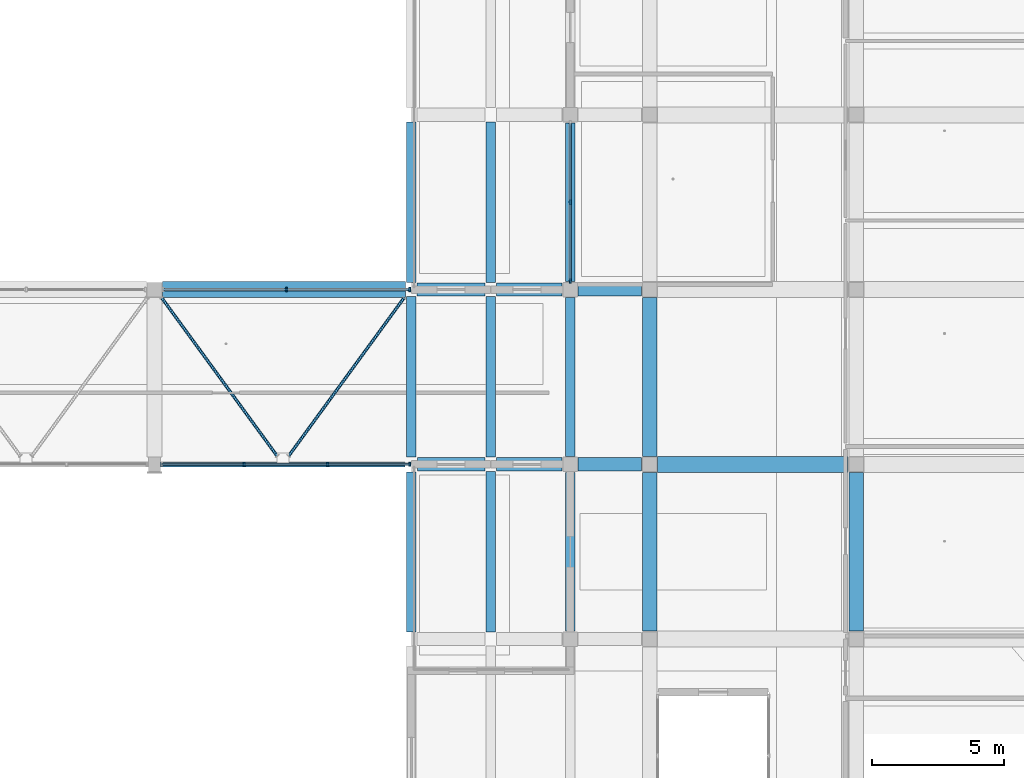
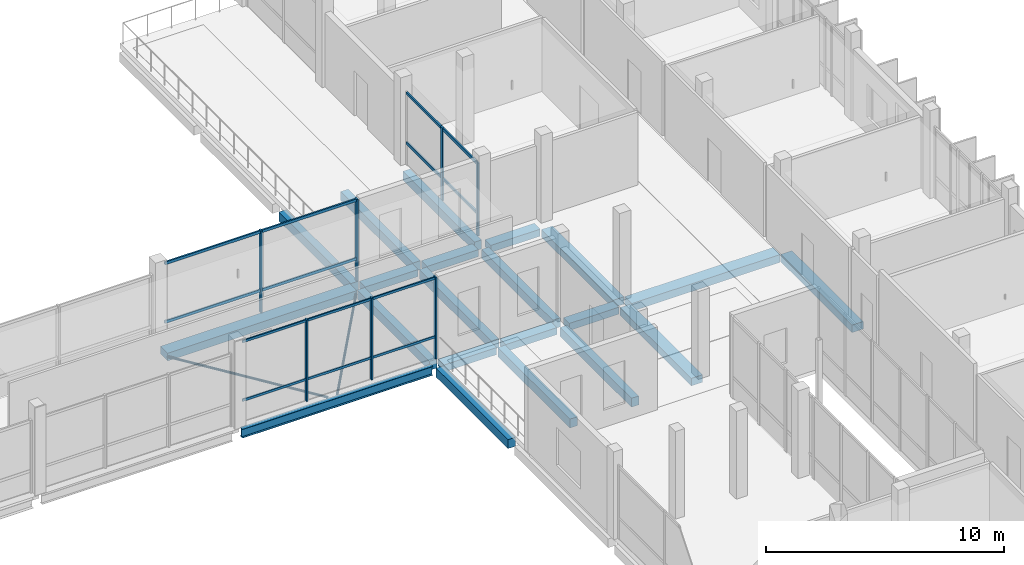
# One storey, part 39 of 95: 21 beams, 15 members, 3 elements without a shape of their own.
"""IFC4 building model written with IfcOpenShell, lengths in metres."""

from ifc_helpers import new_model, si_unit, derived_unit, direction, frame, origin, origin_2d, place, context, subcontext, project, spatial, rectangle, hollow_circle, i_section, extrude, material, material_profile, profile_set, type_object, element, aggregate, save


model = new_model("IFC4")

# Units and contexts
model_context = context("Model", 3, precision=1e-05, world=origin(), true_north=direction((0.0, 1.0)))
body_context = subcontext(model_context, "Body", "Model", "MODEL_VIEW")
ifc_project = project(units=[si_unit("LENGTHUNIT", "METRE"), si_unit("AREAUNIT", "SQUARE_METRE"), si_unit("VOLUMEUNIT", "CUBIC_METRE"), si_unit("PLANEANGLEUNIT", "RADIAN"), si_unit("MASSUNIT", "GRAM", prefix="KILO"), derived_unit("THERMALTRANSMITTANCEUNIT", [(si_unit("POWERUNIT", "WATT"), 1), (si_unit("LENGTHUNIT", "METRE"), -2), (si_unit("THERMODYNAMICTEMPERATUREUNIT", "KELVIN"), -1)])], contexts=[model_context])

# Site, building, storey
site_placement = place(None, origin())
site = spatial("IfcSite", under=ifc_project, at=site_placement, CompositionType="ELEMENT")
building_placement = place(site_placement, origin())
building = spatial("IfcBuilding", under=site, at=building_placement, Name="Braskholm Square Health Centre", CompositionType="ELEMENT")
storey_placement = place(building_placement, frame((0.0, 0.0, 4.800048828125)))
storey = spatial("IfcBuildingStorey", under=building, at=storey_placement, Name="L02", CompositionType="ELEMENT", Elevation=4.800048828125)

# Members
ifc_material_1 = material(Name="Steel ASTM A500 Grade C", Category="steel")
ifc_material_profile_1 = material_profile(ifc_material_1, hollow_circle(Radius=0.05712890625, WallThickness=0.005615234375, at=origin_2d()), Name="HSS4.500X0.237")
ifc_profile_set_1 = profile_set([ifc_material_profile_1], Name="Steel ASTM A500 Grade C")
member_type_1 = type_object("IfcMemberType", Name="CanopyBraceCHS114", PredefinedType="BRACE", material=ifc_profile_set_1)
for number, where, z_axis, x_axis, name in (
    (1, (130.3798828125, 93.47998046875, -0.449951171875), (0.589551927486, -0.807730477819, 0.0), (0.807730477819, 0.589551927486, 0.0), "Concourse arcade chevron brace 04A"),
    (2, (139.52001953125, 93.47998046875, -0.449951171875), (-0.589551927486, -0.807730477819, 0.0), (0.807730477819, -0.589551927486, 0.0), "Concourse arcade chevron brace 04B"),
):
    element("IfcMember", number, at=place(storey_placement, frame(where, z_axis=z_axis, x_axis=x_axis)), inside=storey, type_object=member_type_1, Name=name, PredefinedType="BRACE", context=body_context, shape_type="SweptSolid", body=[
        extrude(hollow_circle(Radius=0.05712890625, WallThickness=0.005615234375, at=origin_2d()), origin(), (0.0, 0.0, 1.0), 7.378662109375),
    ])

# Curtain wall, members
ifc_material_2 = material(Name="Low-E triple insulating glass (VLT 0.64)", Category="glass")
curtain_wall_type_1 = type_object("IfcCurtainWallType", Name="UnitisedCurtainWall6200x4100", PredefinedType="NOTDEFINED", material=ifc_material_2)
curtain_wall_1_placement = place(storey_placement, origin())
curtain_wall_1 = element("IfcCurtainWall", 3, at=curtain_wall_1_placement, inside=storey, type_object=curtain_wall_type_1, Name="Hall Gallery L02 unitised curtain wall CW-L02-0208", PredefinedType="NOTDEFINED")
ifc_material_3 = material(Name="Architectural bronze anodised aluminium", Category="aluminium")
ifc_material_profile_2 = material_profile(ifc_material_3, rectangle(XDim=0.06494140625, YDim=0.14990234375, at=origin_2d()), Name="ALU-65X150")
ifc_profile_set_2 = profile_set([ifc_material_profile_2], Name="Architectural bronze anodised aluminium")
member_type_2 = type_object("IfcMemberType", Name="CurtainWallMullion65x150", PredefinedType="MULLION", material=ifc_profile_set_2)
member_1_placement = place(storey_placement, frame((133.486328125, 87.199951171875, 0.0), z_axis=(0.0, 0.0, 1.0), x_axis=(1.0, 0.0, 0.0)))
member_1 = element("IfcMember", 4, at=member_1_placement, type_object=member_type_2, Name="CW-L02-0208 vertical mullion 2", PredefinedType="MULLION", context=body_context, shape_type="SweptSolid", body=[
    extrude(rectangle(XDim=0.06494140625, YDim=0.14990234375, at=origin_2d()), origin(), (0.0, 0.0, 1.0), 4.199951171875),
])
member_2_placement = place(storey_placement, frame((136.640625, 87.199951171875, 0.0), z_axis=(0.0, 0.0, 1.0), x_axis=(1.0, 0.0, 0.0)))
member_2 = element("IfcMember", 5, at=member_2_placement, type_object=member_type_2, Name="CW-L02-0208 vertical mullion 3", PredefinedType="MULLION", context=body_context, shape_type="SweptSolid", body=[
    extrude(rectangle(XDim=0.06494140625, YDim=0.14990234375, at=origin_2d()), origin(), (0.0, 0.0, 1.0), 4.199951171875),
])
member_3_placement = place(storey_placement, frame((139.73828125, 87.199951171875, 0.0), z_axis=(0.0, 0.0, 1.0), x_axis=(1.0, 0.0, 0.0)))
member_3 = element("IfcMember", 6, at=member_3_placement, type_object=member_type_2, Name="CW-L02-0208 vertical mullion 4", PredefinedType="MULLION", context=body_context, shape_type="SweptSolid", body=[
    extrude(rectangle(XDim=0.06494140625, YDim=0.14990234375, at=origin_2d()), origin(), (0.0, 0.0, 1.0), 4.199951171875),
])

curtain_wall_type_2 = type_object("IfcCurtainWallType", Name="UnitisedCurtainWall6200x3800", PredefinedType="NOTDEFINED", material=ifc_material_2)
curtain_wall_2_placement = place(storey_placement, origin())
curtain_wall_2 = element("IfcCurtainWall", 7, at=curtain_wall_2_placement, inside=storey, type_object=curtain_wall_type_2, Name="East Valley unitised curtain wall CW-L02-0121", PredefinedType="NOTDEFINED")
ifc_material_profile_3 = material_profile(ifc_material_3, rectangle(XDim=0.074951171875, YDim=0.179931640625, at=origin_2d()), Name="ALU-75X180")
ifc_profile_set_3 = profile_set([ifc_material_profile_3], Name="Architectural bronze anodised aluminium")
member_type_3 = type_object("IfcMemberType", Name="CurtainWallMullion75x180", PredefinedType="MULLION", material=ifc_profile_set_3)
member_4_placement = place(storey_placement, frame((145.800048828125, 97.10009765625, 0.0), z_axis=(0.0, 0.0, 1.0), x_axis=(1.0, 0.0, 0.0)))
member_4 = element("IfcMember", 8, at=member_4_placement, type_object=member_type_3, Name="CW-L02-0121 vertical mullion 2", PredefinedType="MULLION", context=body_context, shape_type="SweptSolid", body=[
    extrude(rectangle(XDim=0.074951171875, YDim=0.179931640625, at=origin_2d()), origin(), (0.0, 0.0, 1.0), 3.739990234375),
])
member_5_placement = place(storey_placement, frame((145.800048828125, 94.12109375, 0.0), z_axis=(0.0, 0.0, 1.0), x_axis=(1.0, 0.0, 0.0)))
member_5 = element("IfcMember", 9, at=member_5_placement, type_object=member_type_3, Name="CW-L02-0121 vertical mullion 3", PredefinedType="MULLION", context=body_context, shape_type="SweptSolid", body=[
    extrude(rectangle(XDim=0.074951171875, YDim=0.179931640625, at=origin_2d()), origin(), (0.0, 0.0, 1.0), 3.739990234375),
])

curtain_wall_3_placement = place(storey_placement, origin())
curtain_wall_3 = element("IfcCurtainWall", 10, at=curtain_wall_3_placement, inside=storey, type_object=curtain_wall_type_1, Name="Portal North L02 unitised curtain wall CW-L02-0211", PredefinedType="NOTDEFINED")
member_6_placement = place(storey_placement, frame((139.738525390625, 93.800048828125, 0.0), z_axis=(0.0, 0.0, 1.0), x_axis=(1.0, 0.0, 0.0)))
member_6 = element("IfcMember", 11, at=member_6_placement, type_object=member_type_3, Name="CW-L02-0211 vertical mullion 1", PredefinedType="MULLION", context=body_context, shape_type="SweptSolid", body=[
    extrude(rectangle(XDim=0.074951171875, YDim=0.179931640625, at=origin_2d()), origin(), (0.0, 0.0, 1.0), 4.199951171875),
])
member_7_placement = place(storey_placement, frame((135.0859375, 93.800048828125, 0.0), z_axis=(0.0, 0.0, 1.0), x_axis=(1.0, 0.0, 0.0)))
member_7 = element("IfcMember", 12, at=member_7_placement, type_object=member_type_3, Name="CW-L02-0211 vertical mullion 2", PredefinedType="MULLION", context=body_context, shape_type="SweptSolid", body=[
    extrude(rectangle(XDim=0.074951171875, YDim=0.179931640625, at=origin_2d()), origin(), (0.0, 0.0, 1.0), 4.199951171875),
])

# Member
ifc_material_profile_4 = material_profile(ifc_material_3, rectangle(XDim=0.06494140625, YDim=0.1201171875, at=origin_2d()), Name="ALU-65X120")
ifc_profile_set_4 = profile_set([ifc_material_profile_4], Name="Architectural bronze anodised aluminium")
member_type_4 = type_object("IfcMemberType", Name="CurtainWallTransom65x120", PredefinedType="USERDEFINED", material=ifc_profile_set_4)
member_8_placement = place(storey_placement, frame((130.376953125, 87.199951171875, 1.119873046875), z_axis=(1.0, 0.0, 0.0), x_axis=(0.0, 1.0, 0.0)))
member_8 = element("IfcMember", 13, at=member_8_placement, type_object=member_type_4, Name="CW-L02-0208 horizontal transom 1", ObjectType="TRANSOM", PredefinedType="USERDEFINED", context=body_context, shape_type="SweptSolid", body=[
    extrude(rectangle(XDim=0.06494140625, YDim=0.1201171875, at=origin_2d()), origin(), (0.0, 0.0, 1.0), 9.373046875),
])

member_9_placement = place(storey_placement, frame((130.376953125, 87.199951171875, 4.1298828125), z_axis=(1.0, 0.0, 0.0), x_axis=(0.0, 1.0, 0.0)))
member_9 = element("IfcMember", 14, at=member_9_placement, type_object=member_type_4, Name="CW-L02-0208 horizontal transom 2", ObjectType="TRANSOM", PredefinedType="USERDEFINED", context=body_context, shape_type="SweptSolid", body=[
    extrude(rectangle(XDim=0.06494140625, YDim=0.1201171875, at=origin_2d()), origin(), (0.0, 0.0, 1.0), 9.373046875),
])

aggregate(curtain_wall_1, [member_1, member_2, member_3, member_8, member_9])

ifc_material_profile_5 = material_profile(ifc_material_3, rectangle(XDim=0.074951171875, YDim=0.139892578125, at=origin_2d()), Name="ALU-75X140")
ifc_profile_set_5 = profile_set([ifc_material_profile_5], Name="Architectural bronze anodised aluminium")
member_type_5 = type_object("IfcMemberType", Name="CurtainWallTransom75x140", PredefinedType="USERDEFINED", material=ifc_profile_set_5)
member_10_placement = place(storey_placement, frame((145.800048828125, 100.070068359375, 1.119873046875), z_axis=(0.0, -1.0, 0.0), x_axis=(1.0, 0.0, 0.0)))
member_10 = element("IfcMember", 15, at=member_10_placement, type_object=member_type_5, Name="CW-L02-0121 horizontal transom 1", ObjectType="TRANSOM", PredefinedType="USERDEFINED", context=body_context, shape_type="SweptSolid", body=[
    extrude(rectangle(XDim=0.074951171875, YDim=0.139892578125, at=origin_2d()), origin(), (0.0, 0.0, 1.0), 5.940185546875),
])

member_11_placement = place(storey_placement, frame((145.800048828125, 100.070068359375, 3.669921875), z_axis=(0.0, -1.0, 0.0), x_axis=(1.0, 0.0, 0.0)))
member_11 = element("IfcMember", 16, at=member_11_placement, type_object=member_type_5, Name="CW-L02-0121 horizontal transom 2", ObjectType="TRANSOM", PredefinedType="USERDEFINED", context=body_context, shape_type="SweptSolid", body=[
    extrude(rectangle(XDim=0.074951171875, YDim=0.139892578125, at=origin_2d()), origin(), (0.0, 0.0, 1.0), 5.940185546875),
])

aggregate(curtain_wall_2, [member_4, member_5, member_10, member_11])

member_12_placement = place(storey_placement, frame((139.75, 93.800048828125, 1.119873046875), z_axis=(-1.0, 0.0, 0.0), x_axis=(0.0, -1.0, 0.0)))
member_12 = element("IfcMember", 17, at=member_12_placement, type_object=member_type_5, Name="CW-L02-0211 horizontal transom 1", ObjectType="TRANSOM", PredefinedType="USERDEFINED", context=body_context, shape_type="SweptSolid", body=[
    extrude(rectangle(XDim=0.074951171875, YDim=0.139892578125, at=origin_2d()), origin(), (0.0, 0.0, 1.0), 9.327880859375),
])

member_13_placement = place(storey_placement, frame((139.75, 93.800048828125, 4.1298828125), z_axis=(-1.0, 0.0, 0.0), x_axis=(0.0, -1.0, 0.0)))
member_13 = element("IfcMember", 18, at=member_13_placement, type_object=member_type_5, Name="CW-L02-0211 horizontal transom 2", ObjectType="TRANSOM", PredefinedType="USERDEFINED", context=body_context, shape_type="SweptSolid", body=[
    extrude(rectangle(XDim=0.074951171875, YDim=0.139892578125, at=origin_2d()), origin(), (0.0, 0.0, 1.0), 9.327880859375),
])

aggregate(curtain_wall_3, [member_6, member_7, member_12, member_13])

# Beams
ifc_material_4 = material(Name="Concrete C35/45 (f'c = 35 MPa)", Category="concrete")
ifc_material_profile_6 = material_profile(ifc_material_4, rectangle(XDim=0.5, YDim=0.360107421875, at=origin_2d()), Name="RCB-500X360")
ifc_profile_set_6 = profile_set([ifc_material_profile_6], Name="Concrete C35/45 (f'c = 35 MPa)")
beam_type_1 = type_object("IfcBeamType", Name="PrimaryBandBeam500x360", PredefinedType="BEAM", material=ifc_profile_set_6)
beam_1_placement = place(storey_placement, frame((140.030029296875, 87.199951171875, -0.47998046875), z_axis=(1.0, 0.0, 0.0), x_axis=(0.0, 1.0, 0.0)))
element("IfcBeam", 19, at=beam_1_placement, inside=storey, type_object=beam_type_1, Name="Beam 17-18/N L02", PredefinedType="BEAM", context=body_context, shape_type="SweptSolid", body=[
    extrude(rectangle(XDim=0.5, YDim=0.360107421875, at=origin_2d()), origin(), (0.0, 0.0, 1.0), 2.550048828125),
])
beam_2_placement = place(storey_placement, frame((143.02001953125, 87.199951171875, -0.47998046875), z_axis=(1.0, 0.0, 0.0), x_axis=(0.0, 1.0, 0.0)))
element("IfcBeam", 20, at=beam_2_placement, inside=storey, type_object=beam_type_1, Name="Beam 18-19/N L02", PredefinedType="BEAM", context=body_context, shape_type="SweptSolid", body=[
    extrude(rectangle(XDim=0.5, YDim=0.360107421875, at=origin_2d()), origin(), (0.0, 0.0, 1.0), 2.47998046875),
])
beam_3_placement = place(storey_placement, frame((146.10009765625, 87.199951171875, -0.47998046875), z_axis=(1.0, 0.0, 0.0), x_axis=(0.0, 1.0, 0.0)))
element("IfcBeam", 21, at=beam_3_placement, inside=storey, type_object=beam_type_1, Name="Beam 19-20/N L02", PredefinedType="BEAM", context=body_context, shape_type="SweptSolid", body=[
    extrude(rectangle(XDim=0.5, YDim=0.360107421875, at=origin_2d()), origin(), (0.0, 0.0, 1.0), 2.39990234375),
])
beam_4_placement = place(storey_placement, frame((140.02001953125, 93.800048828125, -0.47998046875), z_axis=(1.0, 0.0, 0.0), x_axis=(0.0, 1.0, 0.0)))
element("IfcBeam", 22, at=beam_4_placement, inside=storey, type_object=beam_type_1, Name="Beam 17-18/P L02", PredefinedType="BEAM", context=body_context, shape_type="SweptSolid", body=[
    extrude(rectangle(XDim=0.5, YDim=0.360107421875, at=origin_2d()), origin(), (0.0, 0.0, 1.0), 2.56005859375),
])
beam_5_placement = place(storey_placement, frame((143.02001953125, 93.800048828125, -0.47998046875), z_axis=(1.0, 0.0, 0.0), x_axis=(0.0, 1.0, 0.0)))
element("IfcBeam", 23, at=beam_5_placement, inside=storey, type_object=beam_type_1, Name="Beam 18-19/P L02", PredefinedType="BEAM", context=body_context, shape_type="SweptSolid", body=[
    extrude(rectangle(XDim=0.5, YDim=0.360107421875, at=origin_2d()), origin(), (0.0, 0.0, 1.0), 2.47998046875),
])
beam_6_placement = place(storey_placement, frame((146.10009765625, 93.800048828125, -0.47998046875), z_axis=(1.0, 0.0, 0.0), x_axis=(0.0, 1.0, 0.0)))
element("IfcBeam", 24, at=beam_6_placement, inside=storey, type_object=beam_type_1, Name="Beam 19-20/P L02", PredefinedType="BEAM", context=body_context, shape_type="SweptSolid", body=[
    extrude(rectangle(XDim=0.5, YDim=0.360107421875, at=origin_2d()), origin(), (0.0, 0.0, 1.0), 2.39990234375),
])
ifc_material_profile_7 = material_profile(ifc_material_4, rectangle(XDim=0.550048828125, YDim=0.3798828125, at=origin_2d()), Name="RCB-550X380")
ifc_profile_set_7 = profile_set([ifc_material_profile_7], Name="Concrete C35/45 (f'c = 35 MPa)")
beam_type_2 = type_object("IfcBeamType", Name="PrimaryBandBeam550x380", PredefinedType="BEAM", material=ifc_profile_set_7)
for number, where, z_axis, x_axis, name in (
    (25, (148.800048828125, 80.89990234375, -0.489990234375), (0.0, 1.0, 0.0), (-1.0, 0.0, 0.0), "Beam 20/M-N L02"),
    (26, (148.800048828125, 87.5, -0.489990234375), (0.0, 1.0, 0.0), (-1.0, 0.0, 0.0), "Beam 20/N-P L02"),
    (27, (156.60009765625, 80.89990234375, -0.489990234375), (0.0, 1.0, 0.0), (-1.0, 0.0, 0.0), "Beam 21/M-N L02"),
):
    element("IfcBeam", number, at=place(storey_placement, frame(where, z_axis=z_axis, x_axis=x_axis)), inside=storey, type_object=beam_type_2, Name=name, PredefinedType="BEAM", context=body_context, shape_type="SweptSolid", body=[
        extrude(rectangle(XDim=0.550048828125, YDim=0.3798828125, at=origin_2d()), origin(), (0.0, 0.0, 1.0), 6.0),
    ])
ifc_material_profile_8 = material_profile(ifc_material_4, rectangle(XDim=0.60009765625, YDim=0.39990234375, at=origin_2d()), Name="RCB-600X400")
ifc_profile_set_8 = profile_set([ifc_material_profile_8], Name="Concrete C35/45 (f'c = 35 MPa)")
beam_type_3 = type_object("IfcBeamType", Name="PrimaryBandBeam600x400", PredefinedType="BEAM", material=ifc_profile_set_8)
beam_7_placement = place(storey_placement, frame((149.10009765625, 87.199951171875, -0.5), z_axis=(1.0, 0.0, 0.0), x_axis=(0.0, 1.0, 0.0)))
element("IfcBeam", 28, at=beam_7_placement, inside=storey, type_object=beam_type_3, Name="Beam 20-21/N L02", PredefinedType="BEAM", context=body_context, shape_type="SweptSolid", body=[
    extrude(rectangle(XDim=0.60009765625, YDim=0.39990234375, at=origin_2d()), origin(), (0.0, 0.0, 1.0), 7.199951171875),
])
beam_8_placement = place(storey_placement, frame((130.39990234375, 93.800048828125, -0.5), z_axis=(1.0, 0.0, 0.0), x_axis=(0.0, 1.0, 0.0)))
element("IfcBeam", 29, at=beam_8_placement, inside=storey, type_object=beam_type_3, Name="Beam 16-17/P L02", PredefinedType="BEAM", context=body_context, shape_type="SweptSolid", body=[
    extrude(rectangle(XDim=0.60009765625, YDim=0.39990234375, at=origin_2d()), origin(), (0.0, 0.0, 1.0), 9.18017578125),
])
ifc_material_5 = material(Name="Precast concrete C40/50 architectural white", Category="concrete")
ifc_material_profile_9 = material_profile(ifc_material_5, rectangle(XDim=0.360107421875, YDim=0.4599609375, at=origin_2d()), Name="RCB-360X460")
ifc_profile_set_9 = profile_set([ifc_material_profile_9], Name="Precast concrete C40/50 architectural white")
beam_type_4 = type_object("IfcBeamType", Name="SpandrelTerraceEdge360x460", PredefinedType="SPANDREL", material=ifc_profile_set_9)
beam_9_placement = place(storey_placement, frame((139.800048828125, 80.8701171875, -0.530029296875), z_axis=(0.0, 1.0, 0.0), x_axis=(-1.0, 0.0, 0.0)))
element("IfcBeam", 30, at=beam_9_placement, inside=storey, type_object=beam_type_4, Name="Beam 17/M-N L02", PredefinedType="SPANDREL", context=body_context, shape_type="SweptSolid", body=[
    extrude(rectangle(XDim=0.360107421875, YDim=0.4599609375, at=origin_2d()), origin(), (0.0, 0.0, 1.0), 6.0498046875),
])
beam_10_placement = place(storey_placement, frame((139.800048828125, 87.47998046875, -0.530029296875), z_axis=(0.0, 1.0, 0.0), x_axis=(-1.0, 0.0, 0.0)))
element("IfcBeam", 31, at=beam_10_placement, inside=storey, type_object=beam_type_4, Name="Beam 17/N-P L02", PredefinedType="SPANDREL", context=body_context, shape_type="SweptSolid", body=[
    extrude(rectangle(XDim=0.360107421875, YDim=0.4599609375, at=origin_2d()), origin(), (0.0, 0.0, 1.0), 6.050048828125),
])
for number, where, z_axis, x_axis, name in (
    (32, (139.800048828125, 94.070068359375, -0.530029296875), (0.0, 1.0, 0.0), (-1.0, 0.0, 0.0), "Beam 17/P-Q L02"),
    (33, (142.800048828125, 80.8701171875, -0.530029296875), (0.0, 1.0, 0.0), (-1.0, 0.0, 0.0), "Beam 18/M-N L02"),
):
    element("IfcBeam", number, at=place(storey_placement, frame(where, z_axis=z_axis, x_axis=x_axis)), inside=storey, type_object=beam_type_4, Name=name, PredefinedType="SPANDREL", context=body_context, shape_type="SweptSolid", body=[
        extrude(rectangle(XDim=0.360107421875, YDim=0.4599609375, at=origin_2d()), origin(), (0.0, 0.0, 1.0), 6.059814453125),
    ])
beam_11_placement = place(storey_placement, frame((142.800048828125, 87.469970703125, -0.530029296875), z_axis=(0.0, 1.0, 0.0), x_axis=(-1.0, 0.0, 0.0)))
element("IfcBeam", 34, at=beam_11_placement, inside=storey, type_object=beam_type_4, Name="Beam 18/N-P L02", PredefinedType="SPANDREL", context=body_context, shape_type="SweptSolid", body=[
    extrude(rectangle(XDim=0.360107421875, YDim=0.4599609375, at=origin_2d()), origin(), (0.0, 0.0, 1.0), 6.06005859375),
])
beam_12_placement = place(storey_placement, frame((142.800048828125, 94.070068359375, -0.530029296875), z_axis=(0.0, 1.0, 0.0), x_axis=(-1.0, 0.0, 0.0)))
element("IfcBeam", 35, at=beam_12_placement, inside=storey, type_object=beam_type_4, Name="Beam 18/P-Q L02", PredefinedType="SPANDREL", context=body_context, shape_type="SweptSolid", body=[
    extrude(rectangle(XDim=0.360107421875, YDim=0.4599609375, at=origin_2d()), origin(), (0.0, 0.0, 1.0), 6.059814453125),
])
for number, where, z_axis, x_axis, name in (
    (36, (145.800048828125, 80.89990234375, -0.530029296875), (0.0, 1.0, 0.0), (-1.0, 0.0, 0.0), "Beam 19/M-N L02"),
    (37, (145.800048828125, 87.5, -0.530029296875), (0.0, 1.0, 0.0), (-1.0, 0.0, 0.0), "Beam 19/N-P L02"),
    (38, (145.800048828125, 94.10009765625, -0.530029296875), (0.0, 1.0, 0.0), (-1.0, 0.0, 0.0), "Beam 19/P-Q L02"),
):
    element("IfcBeam", number, at=place(storey_placement, frame(where, z_axis=z_axis, x_axis=x_axis)), inside=storey, type_object=beam_type_4, Name=name, PredefinedType="SPANDREL", context=body_context, shape_type="SweptSolid", body=[
        extrude(rectangle(XDim=0.360107421875, YDim=0.4599609375, at=origin_2d()), origin(), (0.0, 0.0, 1.0), 6.0),
    ])
ifc_material_6 = material(Name="Steel ASTM A992 Grade 50", Category="steel")
ifc_material_profile_10 = material_profile(ifc_material_6, i_section(OverallWidth=0.19091796875, OverallDepth=0.4599609375, WebThickness=0.010009765625, FlangeThickness=0.01611328125, at=origin_2d()), Name="W18X55")
ifc_profile_set_10 = profile_set([ifc_material_profile_10], Name="Steel ASTM A992 Grade 50")
beam_type_5 = type_object("IfcBeamType", Name="SteelGirderLinkW18X55", PredefinedType="BEAM", material=ifc_profile_set_10)
beam_13_placement = place(storey_placement, frame((130.330078125, 87.199951171875, -0.530029296875), z_axis=(1.0, 0.0, 0.0), x_axis=(0.0, 1.0, 0.0)))
element("IfcBeam", 39, at=beam_13_placement, inside=storey, type_object=beam_type_5, Name="Beam 16-17/N L02", PredefinedType="BEAM", context=body_context, shape_type="SweptSolid", body=[
    extrude(i_section(OverallWidth=0.19091796875, OverallDepth=0.4599609375, WebThickness=0.010009765625, FlangeThickness=0.01611328125, at=origin_2d()), origin(), (0.0, 0.0, 1.0), 9.239990234375),
])

save(model, "model.ifc")
